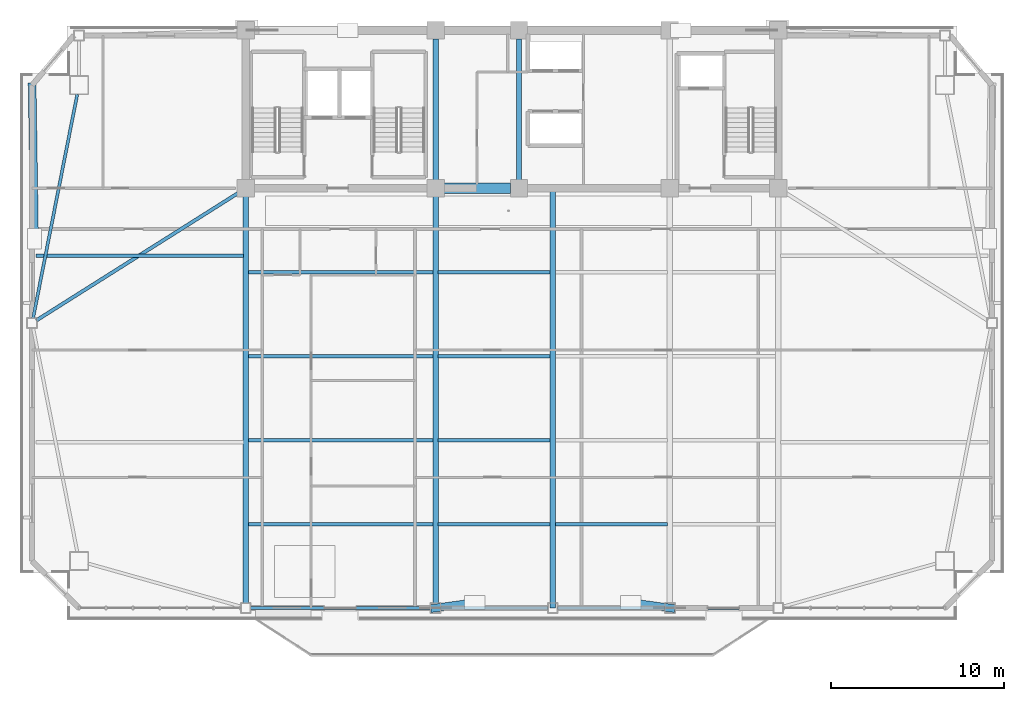
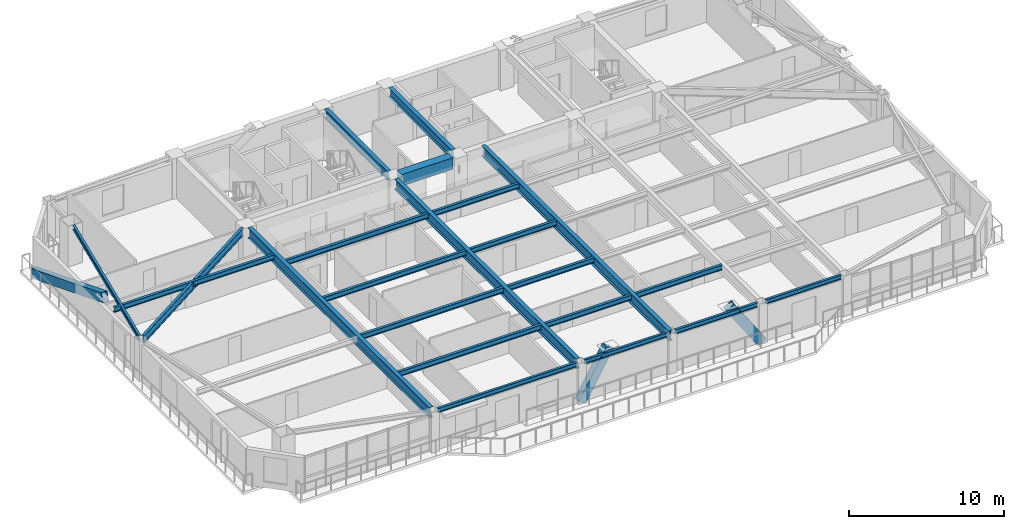
# One storey, part 3 of 16: 22 beams, 3 members.
"""IFC4 building model written with IfcOpenShell, lengths in metres."""

from ifc_helpers import new_model, si_unit, direction, frame, origin, origin_2d, place, context, subcontext, project, spatial, rectangle, hollow_rectangle, i_section, extrude, source, transform, mapped, material, material_profile, profile_set, type_object, element, save


model = new_model("IFC4")

# Units and contexts
model_context = context("Model", 3, precision=1e-05, world=origin(), true_north=direction((0.0, 1.0)))
body_context = subcontext(model_context, "Body", "Model", "MODEL_VIEW")
ifc_project = project(units=[si_unit("LENGTHUNIT", "METRE"), si_unit("AREAUNIT", "SQUARE_METRE"), si_unit("VOLUMEUNIT", "CUBIC_METRE"), si_unit("PLANEANGLEUNIT", "RADIAN"), si_unit("MASSUNIT", "GRAM", prefix="KILO")], contexts=[model_context])

# Site, building, storey
site_placement = place(None, origin())
site = spatial("IfcSite", under=ifc_project, at=site_placement, CompositionType="ELEMENT")
building_placement = place(site_placement, origin())
building = spatial("IfcBuilding", under=site, at=building_placement, Name="Giltprow Tower", CompositionType="ELEMENT")
storey_placement = place(building_placement, frame((0.0, 0.0, 227.0)))
storey = spatial("IfcBuildingStorey", under=building, at=storey_placement, Name="L57", CompositionType="ELEMENT", Elevation=227.0)

# Beams
ifc_material_1 = material(Name="Concrete C50", Category="concrete")
ifc_material_profile_1 = material_profile(ifc_material_1, rectangle(XDim=0.60009765625, YDim=0.89990234375, at=origin_2d()), Name="RC 900x600")
ifc_profile_set_1 = profile_set([ifc_material_profile_1], Name="Concrete C50")
beam_type_1 = type_object("IfcBeamType", Name="BM-CPL-RC900", PredefinedType="LINTEL", material=ifc_profile_set_1)
shared_shape_1 = source(origin(), body_context, "Body", "SweptSolid", [
    extrude(rectangle(XDim=0.60009765625, YDim=0.89990234375, at=origin_2d()), origin(), (0.0, 0.0, 1.0), 3.830078125),
])
beam_1_placement = place(storey_placement, frame((31.284912109375, 37.449951171875, 2.735107421875), z_axis=(1.0, 0.0, 0.0), x_axis=(0.0, 1.0, 0.0)))
element("IfcBeam", 1, at=beam_1_placement, inside=storey, type_object=beam_type_1, Name="L57 Core Coupling Beam CB-1", PredefinedType="LINTEL", context=body_context, shape_type="MappedRepresentation", body=[
    mapped(shared_shape_1, transform((0.0, 0.0, 0.0), x_axis=(1.0, 0.0, 0.0), y_axis=(0.0, 1.0, 0.0), z_axis=(0.0, 0.0, 1.0), scale=1.0)),
])
ifc_material_2 = material(Name="Structural steel Q355B", Category="steel")
ifc_material_profile_2 = material_profile(ifc_material_2, i_section(OverallWidth=0.300048828125, OverallDepth=0.699951171875, WebThickness=0.012939453125, FlangeThickness=0.02392578125, at=origin_2d()), Name="HN 700x300x13x24")
ifc_profile_set_2 = profile_set([ifc_material_profile_2], Name="Structural steel Q355B")
beam_type_2 = type_object("IfcBeamType", Name="BM-GIRD-HN700", PredefinedType="BEAM", material=ifc_profile_set_2)
shared_shape_2 = source(origin(), body_context, "Body", "SweptSolid", [
    extrude(i_section(OverallWidth=0.300048828125, OverallDepth=0.699951171875, WebThickness=0.012939453125, FlangeThickness=0.02392578125, at=origin_2d()), origin(), (0.0, 0.0, 1.0), 8.1298828125),
])
for number, where, z_axis, x_axis, name in (
    (2, (30.800048828125, 37.93505859375, 2.8349609375), (0.0, 1.0, 0.0), (-1.0, 0.0, 0.0), "L57 Core Tie Girder M1"),
    (3, (35.60009765625, 37.93505859375, 2.8349609375), (0.0, 1.0, 0.0), (-1.0, 0.0, 0.0), "L57 Core Tie Girder M2"),
):
    element("IfcBeam", number, at=place(storey_placement, frame(where, z_axis=z_axis, x_axis=x_axis)), inside=storey, type_object=beam_type_2, Name=name, PredefinedType="BEAM", context=body_context, shape_type="MappedRepresentation", body=[
        mapped(shared_shape_2, transform((0.0, 0.0, 0.0), x_axis=(1.0, 0.0, 0.0), y_axis=(0.0, 1.0, 0.0), z_axis=(0.0, 0.0, 1.0), scale=1.0)),
    ])
ifc_material_profile_3 = material_profile(ifc_material_2, i_section(OverallWidth=0.199951171875, OverallDepth=0.39990234375, WebThickness=0.008056640625, FlangeThickness=0.012939453125, at=origin_2d()), Name="HN 400x200x8x13")
ifc_profile_set_3 = profile_set([ifc_material_profile_3], Name="Structural steel Q355B")
beam_type_3 = type_object("IfcBeamType", Name="BM-JOIST-HN400", PredefinedType="JOIST", material=ifc_profile_set_3)
shared_shape_3 = source(origin(), body_context, "Body", "SweptSolid", [
    extrude(i_section(OverallWidth=0.199951171875, OverallDepth=0.39990234375, WebThickness=0.008056640625, FlangeThickness=0.012939453125, at=origin_2d()), origin(), (0.0, 0.0, 1.0), 10.659912109375),
])
for number, where, z_axis, x_axis, name in (
    (4, (19.9951171875, 18.090087890625, 2.985107421875), (1.0, 0.0, 0.0), (0.0, 1.0, 0.0), "L57 Composite Floor Joist 1-1"),
    (5, (19.9951171875, 22.929931640625, 2.985107421875), (1.0, 0.0, 0.0), (0.0, 1.0, 0.0), "L57 Composite Floor Joist 2-1"),
    (6, (19.9951171875, 27.77001953125, 2.985107421875), (1.0, 0.0, 0.0), (0.0, 1.0, 0.0), "L57 Composite Floor Joist 3-1"),
    (7, (19.9951171875, 32.610107421875, 2.985107421875), (1.0, 0.0, 0.0), (0.0, 1.0, 0.0), "L57 Composite Floor Joist 4-1"),
):
    element("IfcBeam", number, at=place(storey_placement, frame(where, z_axis=z_axis, x_axis=x_axis)), inside=storey, type_object=beam_type_3, Name=name, PredefinedType="JOIST", context=body_context, shape_type="MappedRepresentation", body=[
        mapped(shared_shape_3, transform((0.0, 0.0, 0.0), x_axis=(1.0, 0.0, 0.0), y_axis=(0.0, 1.0, 0.0), z_axis=(0.0, 0.0, 1.0), scale=1.0)),
    ])
shared_shape_4 = source(origin(), body_context, "Body", "SweptSolid", [
    extrude(i_section(OverallWidth=0.199951171875, OverallDepth=0.39990234375, WebThickness=0.008056640625, FlangeThickness=0.012939453125, at=origin_2d()), origin(), (0.0, 0.0, 1.0), 6.4599609375),
])
for number, where, z_axis, x_axis, name in (
    (8, (30.945068359375, 18.090087890625, 2.985107421875), (1.0, 0.0, 0.0), (0.0, 1.0, 0.0), "L57 Composite Floor Joist 1-2"),
    (9, (37.695068359375, 18.090087890625, 2.985107421875), (1.0, 0.0, 0.0), (0.0, 1.0, 0.0), "L57 Composite Floor Joist 1-3"),
    (10, (30.945068359375, 22.929931640625, 2.985107421875), (1.0, 0.0, 0.0), (0.0, 1.0, 0.0), "L57 Composite Floor Joist 2-2"),
    (11, (30.945068359375, 27.77001953125, 2.985107421875), (1.0, 0.0, 0.0), (0.0, 1.0, 0.0), "L57 Composite Floor Joist 3-2"),
    (12, (30.945068359375, 32.610107421875, 2.985107421875), (1.0, 0.0, 0.0), (0.0, 1.0, 0.0), "L57 Composite Floor Joist 4-2"),
):
    element("IfcBeam", number, at=place(storey_placement, frame(where, z_axis=z_axis, x_axis=x_axis)), inside=storey, type_object=beam_type_3, Name=name, PredefinedType="JOIST", context=body_context, shape_type="MappedRepresentation", body=[
        mapped(shared_shape_4, transform((0.0, 0.0, 0.0), x_axis=(1.0, 0.0, 0.0), y_axis=(0.0, 1.0, 0.0), z_axis=(0.0, 0.0, 1.0), scale=1.0)),
    ])
ifc_material_profile_4 = material_profile(ifc_material_2, i_section(OverallWidth=0.300048828125, OverallDepth=0.800048828125, WebThickness=0.013916015625, FlangeThickness=0.02587890625, at=origin_2d()), Name="HN 800x300x14x26")
ifc_profile_set_4 = profile_set([ifc_material_profile_4], Name="Structural steel Q355B")
beam_type_4 = type_object("IfcBeamType", Name="BM-GIRD-HN800", PredefinedType="BEAM", material=ifc_profile_set_4)
shared_shape_5 = source(origin(), body_context, "Body", "SweptSolid", [
    extrude(i_section(OverallWidth=0.300048828125, OverallDepth=0.800048828125, WebThickness=0.013916015625, FlangeThickness=0.02587890625, at=origin_2d()), origin(), (0.0, 0.0, 1.0), 23.43017578125),
])
for number, where, z_axis, x_axis, name in (
    (13, (19.85009765625, 13.534912109375, 2.784912109375), (0.0, 1.0, 0.0), (-1.0, 0.0, 0.0), "L57 Primary Lease Girder S1"),
    (14, (30.800048828125, 13.534912109375, 2.784912109375), (0.0, 1.0, 0.0), (-1.0, 0.0, 0.0), "L57 Primary Lease Girder S2"),
):
    element("IfcBeam", number, at=place(storey_placement, frame(where, z_axis=z_axis, x_axis=x_axis)), inside=storey, type_object=beam_type_4, Name=name, PredefinedType="BEAM", context=body_context, shape_type="MappedRepresentation", body=[
        mapped(shared_shape_5, transform((0.0, 0.0, 0.0), x_axis=(1.0, 0.0, 0.0), y_axis=(0.0, 1.0, 0.0), z_axis=(0.0, 0.0, 1.0), scale=1.0)),
    ])
shared_shape_6 = source(origin(), body_context, "Body", "SweptSolid", [
    extrude(i_section(OverallWidth=0.300048828125, OverallDepth=0.800048828125, WebThickness=0.013916015625, FlangeThickness=0.02587890625, at=origin_2d()), origin(), (0.0, 0.0, 1.0), 24.199951171875),
])
beam_2_placement = place(storey_placement, frame((37.550048828125, 13.25, 2.784912109375), z_axis=(0.0, 1.0, 0.0), x_axis=(-1.0, 0.0, 0.0)))
element("IfcBeam", 15, at=beam_2_placement, inside=storey, type_object=beam_type_4, Name="L57 Central Lease Girder SMID", PredefinedType="BEAM", context=body_context, shape_type="MappedRepresentation", body=[
    mapped(shared_shape_6, transform((0.0, 0.0, 0.0), x_axis=(1.0, 0.0, 0.0), y_axis=(0.0, 1.0, 0.0), z_axis=(0.0, 0.0, 1.0), scale=1.0)),
])
ifc_material_profile_5 = material_profile(ifc_material_2, i_section(OverallWidth=0.199951171875, OverallDepth=0.60009765625, WebThickness=0.010986328125, FlangeThickness=0.01708984375, at=origin_2d()), Name="HN 600x200x11x17")
ifc_profile_set_5 = profile_set([ifc_material_profile_5], Name="Structural steel Q355B")
beam_type_5 = type_object("IfcBeamType", Name="BM-GIRD-HN600", PredefinedType="BEAM", material=ifc_profile_set_5)
shared_shape_7 = source(origin(), body_context, "Body", "SweptSolid", [
    extrude(i_section(OverallWidth=0.199951171875, OverallDepth=0.60009765625, WebThickness=0.010986328125, FlangeThickness=0.01708984375, at=origin_2d()), origin(), (0.0, 0.0, 1.0), 13.7958984375),
])
beam_3_placement = place(storey_placement, frame((7.77392578125, 29.826904296875, 2.885009765625), z_axis=(0.845619658124, 0.533785906328, 0.0), x_axis=(-0.533785906328, 0.845619658124, 0.0)))
element("IfcBeam", 16, at=beam_3_placement, inside=storey, type_object=beam_type_5, Name="L57 West Wing Primary Girder", PredefinedType="BEAM", context=body_context, shape_type="MappedRepresentation", body=[
    mapped(shared_shape_7, transform((0.0, 0.0, 0.0), x_axis=(1.0, 0.0, 0.0), y_axis=(0.0, 1.0, 0.0), z_axis=(0.0, 0.0, 1.0), scale=1.0)),
])
shared_shape_8 = source(origin(), body_context, "Body", "SweptSolid", [
    extrude(i_section(OverallWidth=0.199951171875, OverallDepth=0.39990234375, WebThickness=0.008056640625, FlangeThickness=0.012939453125, at=origin_2d()), origin(), (0.0, 0.0, 1.0), 11.9521484375),
])
beam_4_placement = place(storey_placement, frame((7.7529296875, 33.56201171875, 2.985107421875), z_axis=(1.0, 0.0, 0.0), x_axis=(0.0, 1.0, 0.0)))
element("IfcBeam", 17, at=beam_4_placement, inside=storey, type_object=beam_type_3, Name="L57 West Wing Floor Joist 2", PredefinedType="JOIST", context=body_context, shape_type="MappedRepresentation", body=[
    mapped(shared_shape_8, transform((0.0, 0.0, 0.0), x_axis=(1.0, 0.0, 0.0), y_axis=(0.0, 1.0, 0.0), z_axis=(0.0, 0.0, 1.0), scale=1.0)),
])
ifc_material_profile_6 = material_profile(ifc_material_2, i_section(OverallWidth=0.175048828125, OverallDepth=0.35009765625, WebThickness=0.007080078125, FlangeThickness=0.010986328125, at=origin_2d()), Name="HN 350x175x7x11")
ifc_profile_set_6 = profile_set([ifc_material_profile_6], Name="Structural steel Q355B")
beam_type_6 = type_object("IfcBeamType", Name="BM-SPAN-HN350", PredefinedType="SPANDREL", material=ifc_profile_set_6)
shared_shape_9 = source(origin(), body_context, "Body", "SweptSolid", [
    extrude(i_section(OverallWidth=0.175048828125, OverallDepth=0.35009765625, WebThickness=0.007080078125, FlangeThickness=0.010986328125, at=origin_2d()), origin(), (0.0, 0.0, 1.0), 10.3798828125),
])
beam_5_placement = place(storey_placement, frame((20.135009765625, 13.25, 3.010009765625), z_axis=(1.0, 0.0, 0.0), x_axis=(0.0, 1.0, 0.0)))
element("IfcBeam", 18, at=beam_5_placement, inside=storey, type_object=beam_type_6, Name="L57 Perimeter Spandrel Beam S1-S2", PredefinedType="SPANDREL", context=body_context, shape_type="MappedRepresentation", body=[
    mapped(shared_shape_9, transform((0.0, 0.0, 0.0), x_axis=(1.0, 0.0, 0.0), y_axis=(0.0, 1.0, 0.0), z_axis=(0.0, 0.0, 1.0), scale=1.0)),
])
shared_shape_10 = source(origin(), body_context, "Body", "SweptSolid", [
    extrude(i_section(OverallWidth=0.175048828125, OverallDepth=0.35009765625, WebThickness=0.007080078125, FlangeThickness=0.010986328125, at=origin_2d()), origin(), (0.0, 0.0, 1.0), 6.179931640625),
])
for number, where, z_axis, x_axis, name in (
    (19, (31.0849609375, 13.25, 3.010009765625), (1.0, 0.0, 0.0), (0.0, 1.0, 0.0), "L57 Perimeter Spandrel Beam S2-S_MID"),
    (20, (37.8349609375, 13.25, 3.010009765625), (1.0, 0.0, 0.0), (0.0, 1.0, 0.0), "L57 Perimeter Spandrel Beam S_MID-S3"),
):
    element("IfcBeam", number, at=place(storey_placement, frame(where, z_axis=z_axis, x_axis=x_axis)), inside=storey, type_object=beam_type_6, Name=name, PredefinedType="SPANDREL", context=body_context, shape_type="MappedRepresentation", body=[
        mapped(shared_shape_10, transform((0.0, 0.0, 0.0), x_axis=(1.0, 0.0, 0.0), y_axis=(0.0, 1.0, 0.0), z_axis=(0.0, 0.0, 1.0), scale=1.0)),
    ])
shared_shape_11 = source(origin(), body_context, "Body", "SweptSolid", [
    extrude(i_section(OverallWidth=0.175048828125, OverallDepth=0.35009765625, WebThickness=0.007080078125, FlangeThickness=0.010986328125, at=origin_2d()), origin(), (0.0, 0.0, 1.0), 5.679931640625),
])
beam_6_placement = place(storey_placement, frame((44.5849609375, 13.25, 3.010009765625), z_axis=(1.0, 0.0, 0.0), x_axis=(0.0, 1.0, 0.0)))
element("IfcBeam", 21, at=beam_6_placement, inside=storey, type_object=beam_type_6, Name="L57 Perimeter Spandrel Beam S3-S4", PredefinedType="SPANDREL", context=body_context, shape_type="MappedRepresentation", body=[
    mapped(shared_shape_11, transform((0.0, 0.0, 0.0), x_axis=(1.0, 0.0, 0.0), y_axis=(0.0, 1.0, 0.0), z_axis=(0.0, 0.0, 1.0), scale=1.0)),
])
shared_shape_12 = source(origin(), body_context, "Body", "SweptSolid", [
    extrude(i_section(OverallWidth=0.175048828125, OverallDepth=0.35009765625, WebThickness=0.007080078125, FlangeThickness=0.010986328125, at=origin_2d()), origin(), (0.0, 0.0, 1.0), 13.161865234375),
])
beam_7_placement = place(storey_placement, frame((10.135986328125, 42.867919921875, 3.010009765625), z_axis=(-0.193597089577, -0.981081121471, 0.0), x_axis=(0.981081121471, -0.193597089577, 0.0)))
element("IfcBeam", 22, at=beam_7_placement, inside=storey, type_object=beam_type_6, Name="L57 Perimeter Spandrel Beam MC_NW-W_MID", PredefinedType="SPANDREL", context=body_context, shape_type="MappedRepresentation", body=[
    mapped(shared_shape_12, transform((0.0, 0.0, 0.0), x_axis=(1.0, 0.0, 0.0), y_axis=(0.0, 1.0, 0.0), z_axis=(0.0, 0.0, 1.0), scale=1.0)),
])

# Members
ifc_material_3 = material(Name="Structural steel Q420GJC", Category="steel")
ifc_material_profile_7 = material_profile(ifc_material_3, hollow_rectangle(XDim=0.449951171875, YDim=0.699951171875, WallThickness=0.031982421875, at=origin_2d()), Name="RHS 700x450x32")
ifc_profile_set_7 = profile_set([ifc_material_profile_7], Name="Structural steel Q420GJC")
member_type = type_object("IfcMemberType", Name="MBR-MEGA-RHS700", PredefinedType="BRACE", material=ifc_profile_set_7)
shared_shape_13 = source(origin(), body_context, "Body", "SweptSolid", [
    extrude(hollow_rectangle(XDim=0.449951171875, YDim=0.699951171875, WallThickness=0.031982421875, at=origin_2d()), origin(), (0.0, 0.0, 1.0), 4.0888671875),
])
for number, where, z_axis, x_axis, name in (
    (23, (30.800048828125, 13.25, 0.0), (0.550278873645, 0.076069366865, 0.831508636543), (-0.136935639325, 0.990579946639, 0.0), "L57 Chevron Mega-Brace S-L"),
    (24, (44.300048828125, 13.25, 0.0), (-0.550278873645, 0.076069366865, 0.831508636543), (-0.136935639325, -0.990579946639, 0.0), "L57 Chevron Mega-Brace S-R"),
):
    element("IfcMember", number, at=place(storey_placement, frame(where, z_axis=z_axis, x_axis=x_axis)), inside=storey, type_object=member_type, Name=name, PredefinedType="BRACE", context=body_context, shape_type="MappedRepresentation", body=[
        mapped(shared_shape_13, transform((0.0, 0.0, 0.0), x_axis=(1.0, 0.0, 0.0), y_axis=(0.0, 1.0, 0.0), z_axis=(0.0, 0.0, 1.0), scale=1.0)),
    ])
shared_shape_14 = source(origin(), body_context, "Body", "SweptSolid", [
    extrude(hollow_rectangle(XDim=0.449951171875, YDim=0.699951171875, WallThickness=0.031982421875, at=origin_2d()), origin(), (0.0, 0.0, 1.0), 9.481689453125),
])
member_placement = place(storey_placement, frame((7.532958984375, 43.39306640625, 0.0), z_axis=(0.014547969901, -0.933387449391, 0.358575272282), x_axis=(0.999878557203, 0.015584314064, 0.0)))
element("IfcMember", 25, at=member_placement, inside=storey, type_object=member_type, Name="L57 Chevron Mega-Brace W-D", PredefinedType="BRACE", context=body_context, shape_type="MappedRepresentation", body=[
    mapped(shared_shape_14, transform((0.0, 0.0, 0.0), x_axis=(1.0, 0.0, 0.0), y_axis=(0.0, 1.0, 0.0), z_axis=(0.0, 0.0, 1.0), scale=1.0)),
])

save(model, "model.ifc")
